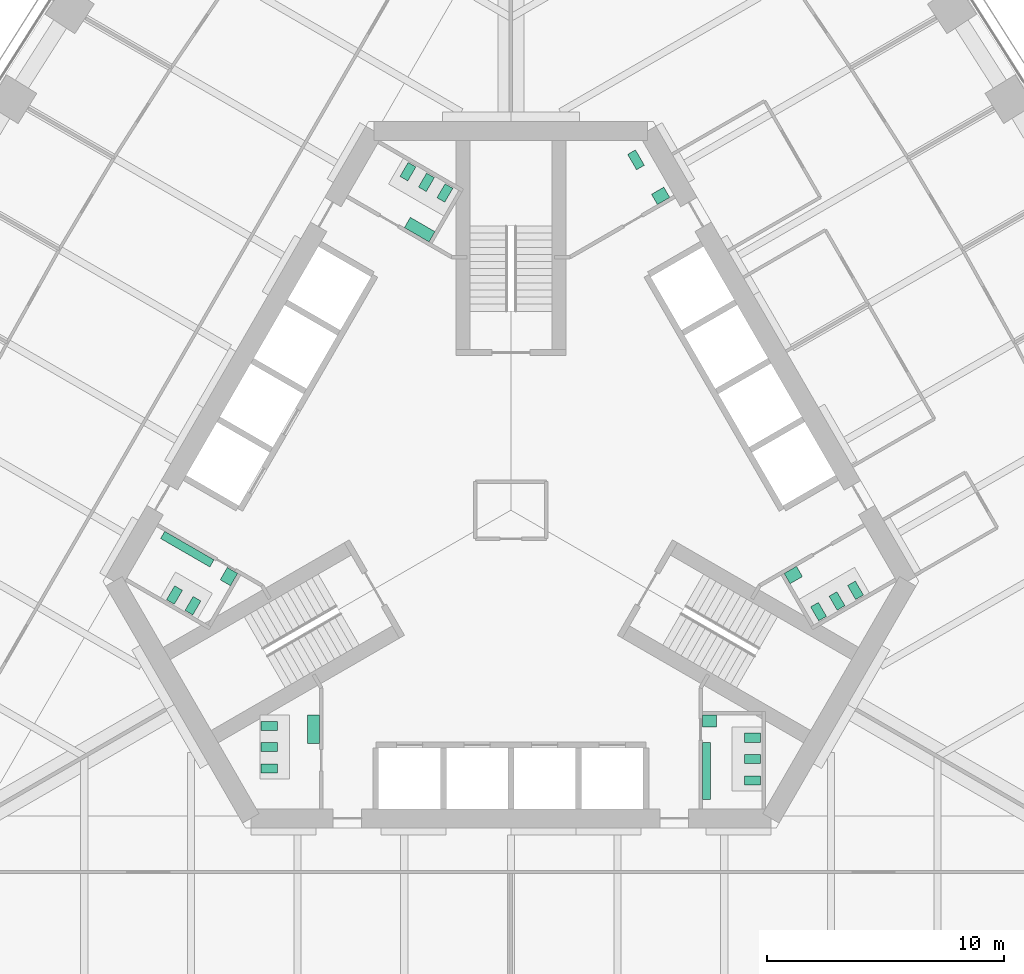
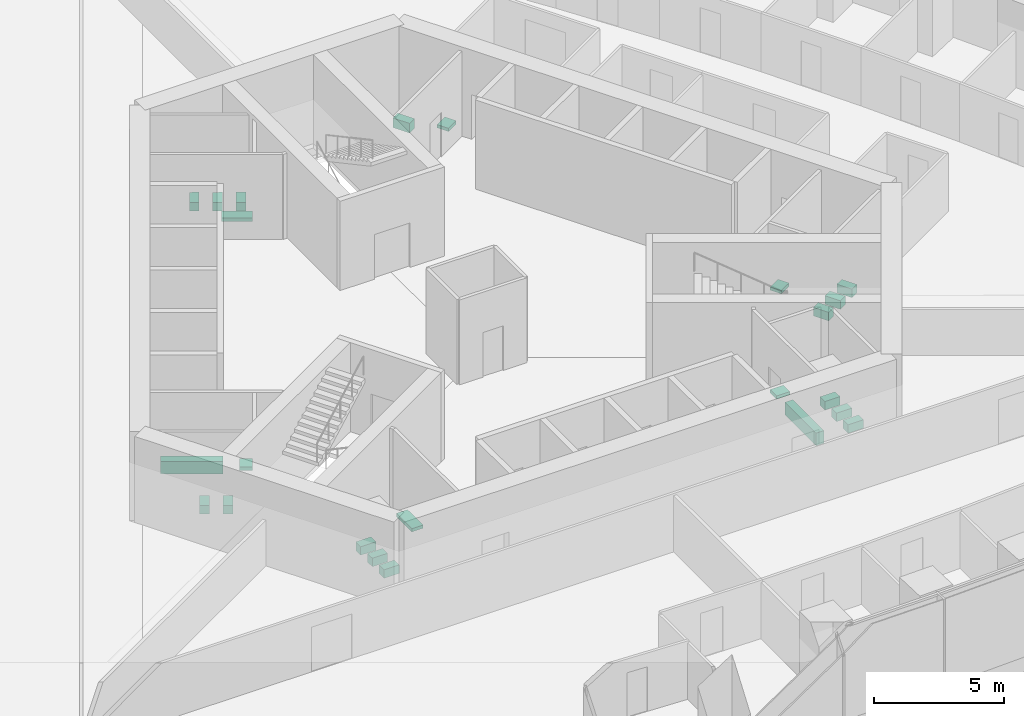
# One storey, part 17 of 18: 23 sanitary terminals.
"""IFC4 building model written with IfcOpenShell, lengths in metres."""

from ifc_helpers import new_model, si_unit, direction, frame, origin, place, context, subcontext, project, spatial, polyline, outline, extrude, material, type_object, element, save


model = new_model("IFC4")

# Units and contexts
model_context = context("Model", 3, precision=1e-05, world=origin(), true_north=direction((0.0, 1.0)))
body_context = subcontext(model_context, "Body", "Model", "MODEL_VIEW")
ifc_project = project(units=[si_unit("LENGTHUNIT", "METRE"), si_unit("AREAUNIT", "SQUARE_METRE"), si_unit("VOLUMEUNIT", "CUBIC_METRE"), si_unit("PLANEANGLEUNIT", "RADIAN"), si_unit("MASSUNIT", "GRAM", prefix="KILO")], contexts=[model_context])

# Site, building, storey
site_placement = place(None, origin())
site = spatial("IfcSite", under=ifc_project, at=site_placement, CompositionType="ELEMENT")
building_placement = place(site_placement, origin())
building = spatial("IfcBuilding", under=site, at=building_placement, Name="Trefoil Bronze Tower", CompositionType="ELEMENT")
storey_placement = place(building_placement, frame((0.0, 0.0, 58.5)))
storey = spatial("IfcBuildingStorey", under=building, at=storey_placement, Name="L13", CompositionType="ELEMENT", Elevation=58.5)

# Sanitary terminals
ifc_material_1 = material(Name="Vitreous china", Category="ceramic")
sanitary_terminal_type_1 = type_object("IfcSanitaryTerminalType", Name="Accessible WC pan", PredefinedType="TOILETPAN", material=ifc_material_1)
sanitary_terminal_1_placement = place(storey_placement, origin())
element("IfcSanitaryTerminal", 1, at=sanitary_terminal_1_placement, inside=storey, type_object=sanitary_terminal_type_1, Name="WC pan 1 Accessible WC L13", PredefinedType="TOILETPAN", context=body_context, shape_type="SweptSolid", body=[
    extrude(outline(polyline([(5.300537109375, 14.359130859375), (4.925537109375, 15.008544921875), (5.254638671875, 15.198486328125), (5.629638671875, 14.549072265625), (5.300537109375, 14.359130859375)])), origin(), (0.0, 0.0, 1.0), 0.449951171875),
])
ifc_material_2 = material(Name="Vitreous china", Category="ceramic")
sanitary_terminal_type_2 = type_object("IfcSanitaryTerminalType", Name="Accessible basin", PredefinedType="WASHHANDBASIN", material=ifc_material_2)
sanitary_terminal_2_placement = place(storey_placement, frame((0.0, 0.0, 0.64990234375)))
element("IfcSanitaryTerminal", 2, at=sanitary_terminal_2_placement, inside=storey, type_object=sanitary_terminal_type_2, Name="Wash basin Accessible WC L13", PredefinedType="WASHHANDBASIN", context=body_context, shape_type="SweptSolid", body=[
    extrude(outline(polyline([(6.181640625, 12.89306640625), (5.931640625, 13.326171875), (6.451171875, 13.626220703125), (6.701171875, 13.193115234375), (6.181640625, 12.89306640625)])), origin(), (0.0, 0.0, 1.0), 0.150146484375),
])
ifc_material_3 = material(Name="Vitreous china", Category="ceramic")
sanitary_terminal_type_3 = type_object("IfcSanitaryTerminalType", Name="Urinal range 4 urinals", PredefinedType="URINAL", material=ifc_material_3)
sanitary_terminal_3_placement = place(storey_placement, frame((0.0, 0.0, 0.39990234375)))
element("IfcSanitaryTerminal", 3, at=sanitary_terminal_3_placement, inside=storey, type_object=sanitary_terminal_type_3, Name="Urinal range WC (men) L13", PredefinedType="URINAL", context=body_context, shape_type="SweptSolid", body=[
    extrude(outline(polyline([(8.074951171875, -9.800048828125), (8.425048828125, -9.800048828125), (8.425048828125, -12.199951171875), (8.074951171875, -12.199951171875), (8.074951171875, -9.800048828125)])), origin(), (0.0, 0.0, 1.0), 0.60009765625),
])
sanitary_terminal_4_placement = place(storey_placement, frame((0.0, 0.0, 0.39990234375)))
element("IfcSanitaryTerminal", 4, at=sanitary_terminal_4_placement, inside=storey, type_object=sanitary_terminal_type_3, Name="Urinal range WC (men) L13", PredefinedType="URINAL", context=body_context, shape_type="SweptSolid", body=[
    extrude(outline(polyline([(-12.524658203125, -2.09326171875), (-12.699462890625, -2.396240234375), (-14.778076171875, -1.1962890625), (-14.60302734375, -0.89306640625), (-12.524658203125, -2.09326171875)])), origin(), (0.0, 0.0, 1.0), 0.60009765625),
])
ifc_material_4 = material(Name="Solid surface vanity", Category="plastic")
sanitary_terminal_type_4 = type_object("IfcSanitaryTerminalType", Name="Vanity unit 1 basins", PredefinedType="WASHHANDBASIN", material=ifc_material_4)
sanitary_terminal_5_placement = place(storey_placement, frame((0.0, 0.0, 0.75)))
element("IfcSanitaryTerminal", 5, at=sanitary_terminal_5_placement, inside=storey, type_object=sanitary_terminal_type_4, Name="Vanity unit WC (men) L13", PredefinedType="WASHHANDBASIN", context=body_context, shape_type="SweptSolid", body=[
    extrude(outline(polyline([(8.074951171875, -8.64990234375), (8.675048828125, -8.64990234375), (8.675048828125, -9.14990234375), (8.074951171875, -9.14990234375), (8.074951171875, -8.64990234375)])), origin(), (0.0, 0.0, 1.0), 0.14990234375),
])
sanitary_terminal_6_placement = place(storey_placement, frame((0.0, 0.0, 0.75)))
element("IfcSanitaryTerminal", 6, at=sanitary_terminal_6_placement, inside=storey, type_object=sanitary_terminal_type_4, Name="Vanity unit WC (women) L13", PredefinedType="WASHHANDBASIN", context=body_context, shape_type="SweptSolid", body=[
    extrude(outline(polyline([(11.528564453125, -2.668212890625), (11.778564453125, -3.10107421875), (12.29833984375, -2.80126953125), (12.04833984375, -2.3681640625), (11.528564453125, -2.668212890625)])), origin(), (0.0, 0.0, 1.0), 0.14990234375),
])
sanitary_terminal_7_placement = place(storey_placement, frame((0.0, 0.0, 0.75)))
element("IfcSanitaryTerminal", 7, at=sanitary_terminal_7_placement, inside=storey, type_object=sanitary_terminal_type_4, Name="Vanity unit WC (men) L13", PredefinedType="WASHHANDBASIN", context=body_context, shape_type="SweptSolid", body=[
    extrude(outline(polyline([(-11.528564453125, -2.668212890625), (-11.82861328125, -3.187744140625), (-12.26171875, -2.937744140625), (-11.961669921875, -2.418212890625), (-11.528564453125, -2.668212890625)])), origin(), (0.0, 0.0, 1.0), 0.14990234375),
])
ifc_material_5 = material(Name="Solid surface vanity", Category="plastic")
sanitary_terminal_type_5 = type_object("IfcSanitaryTerminalType", Name="Vanity unit 2 basins", PredefinedType="WASHHANDBASIN", material=ifc_material_5)
sanitary_terminal_8_placement = place(storey_placement, frame((0.0, 0.0, 0.75)))
element("IfcSanitaryTerminal", 8, at=sanitary_terminal_8_placement, inside=storey, type_object=sanitary_terminal_type_5, Name="Vanity unit WC (women) L13", PredefinedType="WASHHANDBASIN", context=body_context, shape_type="SweptSolid", body=[
    extrude(outline(polyline([(-3.45361328125, 11.318115234375), (-3.20361328125, 11.751220703125), (-4.242919921875, 12.35107421875), (-4.492919921875, 11.918212890625), (-3.45361328125, 11.318115234375)])), origin(), (0.0, 0.0, 1.0), 0.14990234375),
])
sanitary_terminal_9_placement = place(storey_placement, frame((0.0, 0.0, 0.75)))
element("IfcSanitaryTerminal", 9, at=sanitary_terminal_9_placement, inside=storey, type_object=sanitary_terminal_type_5, Name="Vanity unit WC (women) L13", PredefinedType="WASHHANDBASIN", context=body_context, shape_type="SweptSolid", body=[
    extrude(outline(polyline([(-8.074951171875, -8.64990234375), (-8.574951171875, -8.64990234375), (-8.574951171875, -9.85009765625), (-8.074951171875, -9.85009765625), (-8.074951171875, -8.64990234375)])), origin(), (0.0, 0.0, 1.0), 0.14990234375),
])
ifc_material_6 = material(Name="Vitreous china", Category="ceramic")
sanitary_terminal_type_6 = type_object("IfcSanitaryTerminalType", Name="WC pan", PredefinedType="TOILETPAN", material=ifc_material_6)
sanitary_terminal_10_placement = place(storey_placement, origin())
element("IfcSanitaryTerminal", 10, at=sanitary_terminal_10_placement, inside=storey, type_object=sanitary_terminal_type_6, Name="WC pan 1 WC (men) L13", PredefinedType="TOILETPAN", context=body_context, shape_type="SweptSolid", body=[
    extrude(outline(polyline([(9.85498046875, -9.409912109375), (10.534912109375, -9.409912109375), (10.534912109375, -9.7900390625), (9.85498046875, -9.7900390625), (9.85498046875, -9.409912109375)])), origin(), (0.0, 0.0, 1.0), 0.39990234375),
])
sanitary_terminal_11_placement = place(storey_placement, origin())
element("IfcSanitaryTerminal", 11, at=sanitary_terminal_11_placement, inside=storey, type_object=sanitary_terminal_type_6, Name="WC pan 2 WC (men) L13", PredefinedType="TOILETPAN", context=body_context, shape_type="SweptSolid", body=[
    extrude(outline(polyline([(9.85498046875, -10.31005859375), (10.534912109375, -10.31005859375), (10.534912109375, -10.68994140625), (9.85498046875, -10.68994140625), (9.85498046875, -10.31005859375)])), origin(), (0.0, 0.0, 1.0), 0.39990234375),
])
sanitary_terminal_12_placement = place(storey_placement, origin())
element("IfcSanitaryTerminal", 12, at=sanitary_terminal_12_placement, inside=storey, type_object=sanitary_terminal_type_6, Name="WC pan 3 WC (men) L13", PredefinedType="TOILETPAN", context=body_context, shape_type="SweptSolid", body=[
    extrude(outline(polyline([(9.85498046875, -11.2099609375), (10.534912109375, -11.2099609375), (10.534912109375, -11.590087890625), (9.85498046875, -11.590087890625), (9.85498046875, -11.2099609375)])), origin(), (0.0, 0.0, 1.0), 0.39990234375),
])
sanitary_terminal_13_placement = place(storey_placement, origin())
element("IfcSanitaryTerminal", 13, at=sanitary_terminal_13_placement, inside=storey, type_object=sanitary_terminal_type_6, Name="WC pan 1 WC (women) L13", PredefinedType="TOILETPAN", context=body_context, shape_type="SweptSolid", body=[
    extrude(outline(polyline([(12.643798828125, -4.07958984375), (12.98388671875, -4.66845703125), (13.31298828125, -4.478515625), (12.972900390625, -3.8896484375), (12.643798828125, -4.07958984375)])), origin(), (0.0, 0.0, 1.0), 0.39990234375),
])
sanitary_terminal_14_placement = place(storey_placement, origin())
element("IfcSanitaryTerminal", 14, at=sanitary_terminal_14_placement, inside=storey, type_object=sanitary_terminal_type_6, Name="WC pan 2 WC (women) L13", PredefinedType="TOILETPAN", context=body_context, shape_type="SweptSolid", body=[
    extrude(outline(polyline([(13.423095703125, -3.629638671875), (13.76318359375, -4.218505859375), (14.09228515625, -4.028564453125), (13.752197265625, -3.439697265625), (13.423095703125, -3.629638671875)])), origin(), (0.0, 0.0, 1.0), 0.39990234375),
])
sanitary_terminal_15_placement = place(storey_placement, origin())
element("IfcSanitaryTerminal", 15, at=sanitary_terminal_15_placement, inside=storey, type_object=sanitary_terminal_type_6, Name="WC pan 3 WC (women) L13", PredefinedType="TOILETPAN", context=body_context, shape_type="SweptSolid", body=[
    extrude(outline(polyline([(14.20263671875, -3.1796875), (14.542724609375, -3.7685546875), (14.871826171875, -3.57861328125), (14.53173828125, -2.98974609375), (14.20263671875, -3.1796875)])), origin(), (0.0, 0.0, 1.0), 0.39990234375),
])
sanitary_terminal_16_placement = place(storey_placement, origin())
element("IfcSanitaryTerminal", 16, at=sanitary_terminal_16_placement, inside=storey, type_object=sanitary_terminal_type_6, Name="WC pan 1 WC (women) L13", PredefinedType="TOILETPAN", context=body_context, shape_type="SweptSolid", body=[
    extrude(outline(polyline([(-2.788818359375, 12.98974609375), (-2.44873046875, 13.57861328125), (-2.77783203125, 13.7685546875), (-3.117919921875, 13.1796875), (-2.788818359375, 12.98974609375)])), origin(), (0.0, 0.0, 1.0), 0.39990234375),
])
sanitary_terminal_17_placement = place(storey_placement, origin())
element("IfcSanitaryTerminal", 17, at=sanitary_terminal_17_placement, inside=storey, type_object=sanitary_terminal_type_6, Name="WC pan 2 WC (women) L13", PredefinedType="TOILETPAN", context=body_context, shape_type="SweptSolid", body=[
    extrude(outline(polyline([(-3.568115234375, 13.439697265625), (-3.228271484375, 14.028564453125), (-3.557373046875, 14.218505859375), (-3.897216796875, 13.629638671875), (-3.568115234375, 13.439697265625)])), origin(), (0.0, 0.0, 1.0), 0.39990234375),
])
sanitary_terminal_18_placement = place(storey_placement, origin())
element("IfcSanitaryTerminal", 18, at=sanitary_terminal_18_placement, inside=storey, type_object=sanitary_terminal_type_6, Name="WC pan 3 WC (women) L13", PredefinedType="TOILETPAN", context=body_context, shape_type="SweptSolid", body=[
    extrude(outline(polyline([(-4.34765625, 13.8896484375), (-4.007568359375, 14.478515625), (-4.336669921875, 14.66845703125), (-4.6767578125, 14.07958984375), (-4.34765625, 13.8896484375)])), origin(), (0.0, 0.0, 1.0), 0.39990234375),
])
sanitary_terminal_19_placement = place(storey_placement, origin())
element("IfcSanitaryTerminal", 19, at=sanitary_terminal_19_placement, inside=storey, type_object=sanitary_terminal_type_6, Name="WC pan 1 WC (men) L13", PredefinedType="TOILETPAN", context=body_context, shape_type="SweptSolid", body=[
    extrude(outline(polyline([(-13.076904296875, -3.82958984375), (-13.416748046875, -4.41845703125), (-13.745849609375, -4.228515625), (-13.406005859375, -3.6396484375), (-13.076904296875, -3.82958984375)])), origin(), (0.0, 0.0, 1.0), 0.39990234375),
])
sanitary_terminal_20_placement = place(storey_placement, origin())
element("IfcSanitaryTerminal", 20, at=sanitary_terminal_20_placement, inside=storey, type_object=sanitary_terminal_type_6, Name="WC pan 2 WC (men) L13", PredefinedType="TOILETPAN", context=body_context, shape_type="SweptSolid", body=[
    extrude(outline(polyline([(-13.856201171875, -3.379638671875), (-14.1962890625, -3.968505859375), (-14.525390625, -3.778564453125), (-14.185302734375, -3.189697265625), (-13.856201171875, -3.379638671875)])), origin(), (0.0, 0.0, 1.0), 0.39990234375),
])
sanitary_terminal_21_placement = place(storey_placement, origin())
element("IfcSanitaryTerminal", 21, at=sanitary_terminal_21_placement, inside=storey, type_object=sanitary_terminal_type_6, Name="WC pan 1 WC (women) L13", PredefinedType="TOILETPAN", context=body_context, shape_type="SweptSolid", body=[
    extrude(outline(polyline([(-9.85498046875, -8.909912109375), (-10.534912109375, -8.909912109375), (-10.534912109375, -9.2900390625), (-9.85498046875, -9.2900390625), (-9.85498046875, -8.909912109375)])), origin(), (0.0, 0.0, 1.0), 0.39990234375),
])
sanitary_terminal_22_placement = place(storey_placement, origin())
element("IfcSanitaryTerminal", 22, at=sanitary_terminal_22_placement, inside=storey, type_object=sanitary_terminal_type_6, Name="WC pan 2 WC (women) L13", PredefinedType="TOILETPAN", context=body_context, shape_type="SweptSolid", body=[
    extrude(outline(polyline([(-9.85498046875, -9.81005859375), (-10.534912109375, -9.81005859375), (-10.534912109375, -10.18994140625), (-9.85498046875, -10.18994140625), (-9.85498046875, -9.81005859375)])), origin(), (0.0, 0.0, 1.0), 0.39990234375),
])
sanitary_terminal_23_placement = place(storey_placement, origin())
element("IfcSanitaryTerminal", 23, at=sanitary_terminal_23_placement, inside=storey, type_object=sanitary_terminal_type_6, Name="WC pan 3 WC (women) L13", PredefinedType="TOILETPAN", context=body_context, shape_type="SweptSolid", body=[
    extrude(outline(polyline([(-9.85498046875, -10.7099609375), (-10.534912109375, -10.7099609375), (-10.534912109375, -11.090087890625), (-9.85498046875, -11.090087890625), (-9.85498046875, -10.7099609375)])), origin(), (0.0, 0.0, 1.0), 0.39990234375),
])

save(model, "model.ifc")
